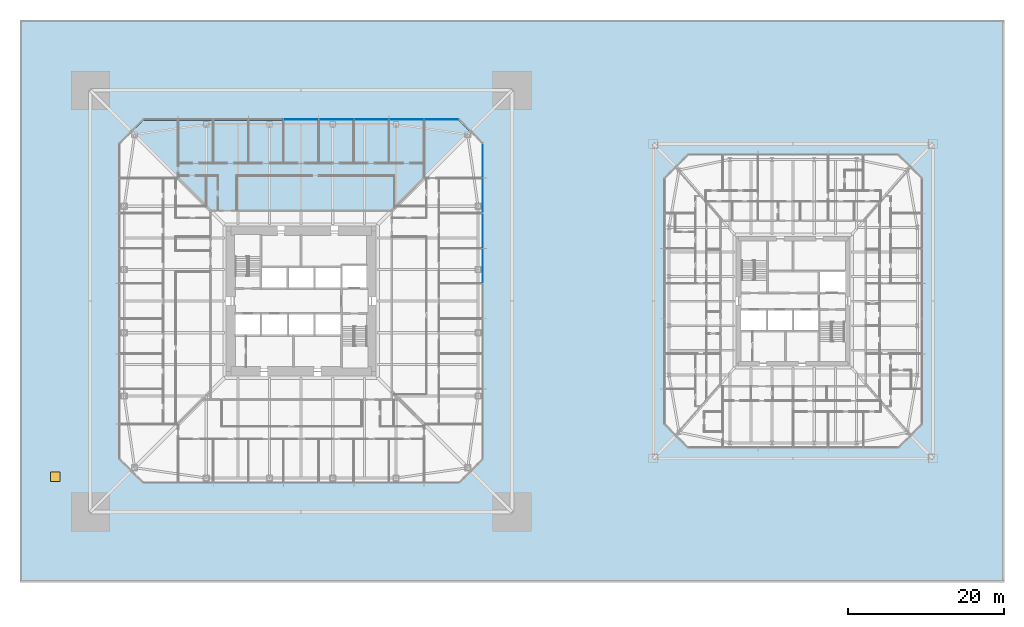
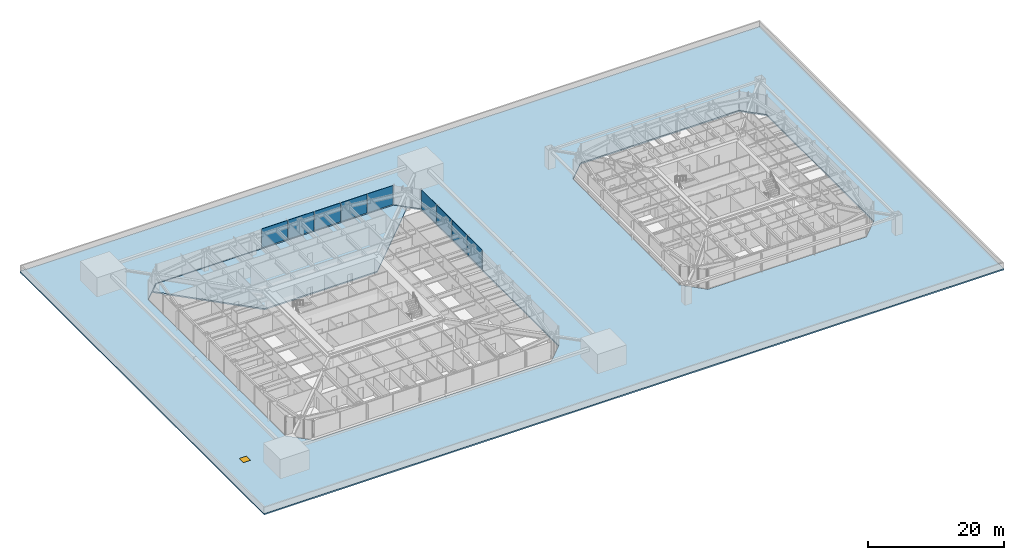
# One storey, part 14 of 31: 9 plates, 2 slabs, 1 window, 1 opening, 2 elements without a shape of their own.
"""IFC4 building model written with IfcOpenShell, lengths in metres."""

from ifc_helpers import new_model, si_unit, direction, frame, origin, origin_2d, place, context, subcontext, project, spatial, polyline, rectangle, outline, extrude, material, layer, layer_set, type_object, element, fill, aggregate, save


model = new_model("IFC4")

# Units and contexts
model_context = context("Model", 3, precision=1e-05, world=origin(), true_north=direction((0.0, 1.0)))
body_context = subcontext(model_context, "Body", "Model", "MODEL_VIEW")
ifc_project = project(units=[si_unit("LENGTHUNIT", "METRE"), si_unit("AREAUNIT", "SQUARE_METRE"), si_unit("VOLUMEUNIT", "CUBIC_METRE"), si_unit("PLANEANGLEUNIT", "RADIAN"), si_unit("MASSUNIT", "GRAM", prefix="KILO")], contexts=[model_context])

# Site, building, storey
site_placement = place(None, origin())
site = spatial("IfcSite", under=ifc_project, at=site_placement, CompositionType="ELEMENT")
building_placement = place(site_placement, origin())
building = spatial("IfcBuilding", under=site, at=building_placement, Name="Iwan Alto Co-Living Towers", CompositionType="ELEMENT")
storey_placement = place(building_placement, frame((0.0, 0.0, 15.0)))
storey = spatial("IfcBuildingStorey", under=building, at=storey_placement, Name="L03", CompositionType="ELEMENT", Elevation=15.0)

# Curtain wall, plates
ifc_material_1 = material(Name="Bronze aluminium unitised frame", Category="aluminium")
curtain_wall_type = type_object("IfcCurtainWallType", Name="CURTAIN WALL CW-A", PredefinedType="NOTDEFINED", material=ifc_material_1)
curtain_wall_1_placement = place(storey_placement, origin())
curtain_wall_1 = element("IfcCurtainWall", 1, at=curtain_wall_1_placement, inside=storey, type_object=curtain_wall_type, Name="T1 curtain wall E L03", PredefinedType="NOTDEFINED")
ifc_material_2 = material(Name="Bronze-tinted insulating glass", Category="glass")
ifc_layer_1 = layer(ifc_material_2, 0.031982421875)
ifc_layer_set_1 = layer_set([ifc_layer_1], Name="CW-A PANEL TINTED IGU 32")
plate_type = type_object("IfcPlateType", Name="CW-A PANEL TINTED IGU 32", PredefinedType="CURTAIN_PANEL", material=ifc_layer_set_1)
plate_1_placement = place(storey_placement, frame((23.25, 4.5, 0.10009765625), z_axis=(0.0, 0.0, 1.0), x_axis=(0.0, 1.0, 0.0)))
plate_1 = element("IfcPlate", 2, at=plate_1_placement, type_object=plate_type, Name="CW-A panel 6.1", PredefinedType="CURTAIN_PANEL", context=body_context, shape_type="SweptSolid", body=[
    extrude(rectangle(XDim=4.419921875, YDim=0.031982421875, at=origin_2d()), origin(), (0.0, 0.0, 1.0), 3.39990234375),
])
plate_2_placement = place(storey_placement, frame((23.25, 9.0, 0.10009765625), z_axis=(0.0, 0.0, 1.0), x_axis=(0.0, 1.0, 0.0)))
plate_2 = element("IfcPlate", 3, at=plate_2_placement, type_object=plate_type, Name="CW-A panel 7.1", PredefinedType="CURTAIN_PANEL", context=body_context, shape_type="SweptSolid", body=[
    extrude(rectangle(XDim=4.419921875, YDim=0.031982421875, at=origin_2d()), origin(), (0.0, 0.0, 1.0), 3.39990234375),
])
plate_3_placement = place(storey_placement, frame((23.25, 13.5, 0.10009765625), z_axis=(0.0, 0.0, 1.0), x_axis=(0.0, 1.0, 0.0)))
plate_3 = element("IfcPlate", 4, at=plate_3_placement, type_object=plate_type, Name="CW-A panel 8.1", PredefinedType="CURTAIN_PANEL", context=body_context, shape_type="SweptSolid", body=[
    extrude(rectangle(XDim=4.419921875, YDim=0.031982421875, at=origin_2d()), origin(), (0.0, 0.0, 1.0), 3.39990234375),
])
plate_4_placement = place(storey_placement, frame((23.25, 17.97998046875, 0.10009765625), z_axis=(0.0, 0.0, 1.0), x_axis=(0.0, 1.0, 0.0)))
plate_4 = element("IfcPlate", 5, at=plate_4_placement, type_object=plate_type, Name="CW-A panel 9.1", PredefinedType="CURTAIN_PANEL", context=body_context, shape_type="SweptSolid", body=[
    extrude(rectangle(XDim=4.3798828125, YDim=0.031982421875, at=origin_2d()), origin(), (0.0, 0.0, 1.0), 3.39990234375),
])
aggregate(curtain_wall_1, [plate_1, plate_2, plate_3, plate_4])

curtain_wall_2_placement = place(storey_placement, origin())
curtain_wall_2 = element("IfcCurtainWall", 6, at=curtain_wall_2_placement, inside=storey, type_object=curtain_wall_type, Name="T1 curtain wall N L03", PredefinedType="NOTDEFINED")
plate_5_placement = place(storey_placement, frame((17.97998046875, 23.25, 0.10009765625), z_axis=(0.0, 0.0, 1.0), x_axis=(-1.0, 0.0, 0.0)))
plate_5 = element("IfcPlate", 7, at=plate_5_placement, type_object=plate_type, Name="CW-A panel 1.1", PredefinedType="CURTAIN_PANEL", context=body_context, shape_type="SweptSolid", body=[
    extrude(rectangle(XDim=4.3798828125, YDim=0.031982421875, at=origin_2d()), origin(), (0.0, 0.0, 1.0), 3.39990234375),
])
plate_6_placement = place(storey_placement, frame((13.5, 23.25, 0.10009765625), z_axis=(0.0, 0.0, 1.0), x_axis=(-1.0, 0.0, 0.0)))
plate_6 = element("IfcPlate", 8, at=plate_6_placement, type_object=plate_type, Name="CW-A panel 2.1", PredefinedType="CURTAIN_PANEL", context=body_context, shape_type="SweptSolid", body=[
    extrude(rectangle(XDim=4.419921875, YDim=0.031982421875, at=origin_2d()), origin(), (0.0, 0.0, 1.0), 3.39990234375),
])
plate_7_placement = place(storey_placement, frame((9.0, 23.25, 0.10009765625), z_axis=(0.0, 0.0, 1.0), x_axis=(-1.0, 0.0, 0.0)))
plate_7 = element("IfcPlate", 9, at=plate_7_placement, type_object=plate_type, Name="CW-A panel 3.1", PredefinedType="CURTAIN_PANEL", context=body_context, shape_type="SweptSolid", body=[
    extrude(rectangle(XDim=4.419921875, YDim=0.031982421875, at=origin_2d()), origin(), (0.0, 0.0, 1.0), 3.39990234375),
])
plate_8_placement = place(storey_placement, frame((4.5, 23.25, 0.10009765625), z_axis=(0.0, 0.0, 1.0), x_axis=(-1.0, 0.0, 0.0)))
plate_8 = element("IfcPlate", 10, at=plate_8_placement, type_object=plate_type, Name="CW-A panel 4.1", PredefinedType="CURTAIN_PANEL", context=body_context, shape_type="SweptSolid", body=[
    extrude(rectangle(XDim=4.419921875, YDim=0.031982421875, at=origin_2d()), origin(), (0.0, 0.0, 1.0), 3.39990234375),
])
plate_9_placement = place(storey_placement, frame((0.0, 23.25, 0.10009765625), z_axis=(0.0, 0.0, 1.0), x_axis=(-1.0, 0.0, 0.0)))
plate_9 = element("IfcPlate", 11, at=plate_9_placement, type_object=plate_type, Name="CW-A panel 5.1", PredefinedType="CURTAIN_PANEL", context=body_context, shape_type="SweptSolid", body=[
    extrude(rectangle(XDim=4.419921875, YDim=0.031982421875, at=origin_2d()), origin(), (0.0, 0.0, 1.0), 3.39990234375),
])
aggregate(curtain_wall_2, [plate_5, plate_6, plate_7, plate_8, plate_9])

# Slab, opening, window
ifc_material_3 = material(Name="Concrete f'c 30 MPa", Category="concrete")
ifc_layer_2 = layer(ifc_material_3, 0.25)
ifc_layer_set_2 = layer_set([ifc_layer_2], Name="PODIUM ROOF SLAB 250")
slab_type_1 = type_object("IfcSlabType", Name="PODIUM ROOF SLAB 250", PredefinedType="ROOF", material=ifc_layer_set_2)
slab_1_placement = place(storey_placement, frame((0.0, 0.0, -0.25)))
slab_1 = element("IfcSlab", 12, at=slab_1_placement, inside=storey, type_object=slab_type_1, Name="Podium roof slab L03", PredefinedType="ROOF", context=body_context, shape_type="SweptSolid", body=[
    extrude(outline(polyline([(-36.0, 36.0), (90.0, 36.0), (90.0, -36.0), (-36.0, -36.0), (-36.0, 36.0)]), holes=[polyline([(-20.25, -23.25), (20.25, -23.25), (23.25, -20.25), (23.25, 20.25), (20.25, 23.25), (-20.25, 23.25), (-23.25, 20.25), (-23.25, -20.25), (-20.25, -23.25)]), polyline([(49.5, -18.75), (76.5, -18.75), (79.5, -15.75), (79.5, 15.75), (76.5, 18.75), (49.5, 18.75), (46.5, 15.75), (46.5, -15.75), (49.5, -18.75)])]), origin(), (0.0, 0.0, 1.0), 0.25),
])
opening_placement = place(slab_1_placement, frame((-31.5, -22.5, 0.0)))
opening = element("IfcOpeningElement", 13, at=opening_placement, cuts=slab_1, Name="Opening RH1", PredefinedType="OPENING", context=body_context, shape_type="SweptSolid", body=[
    extrude(rectangle(XDim=1.199951171875, YDim=1.199951171875, at=origin_2d()), origin(), (0.0, 0.0, 1.0), 0.25),
])
ifc_material_4 = material(Name="Steel roof hatch", Category="steel")
window_type = type_object("IfcWindowType", Name="ROOF HATCH 1200X1200", PartitioningType="SINGLE_PANEL", PredefinedType="SKYLIGHT", material=ifc_material_4)
window_placement = place(opening_placement, frame((0.0, 0.0, 0.199951171875)))
window = element("IfcWindow", 14, at=window_placement, inside=storey, type_object=window_type, Name="ROOF ACCESS HATCH", OverallHeight=1.199951171875, OverallWidth=1.199951171875, PartitioningType="SINGLE_PANEL", PredefinedType="SKYLIGHT", context=body_context, shape_type="SweptSolid", body=[
    extrude(rectangle(XDim=1.199951171875, YDim=1.199951171875, at=origin_2d()), origin(), (0.0, 0.0, 1.0), 0.050048828125),
])
fill(opening, window)

# Slab
ifc_material_5 = material(Name="Concrete f'c 30 MPa", Category="concrete")
ifc_layer_3 = layer(ifc_material_5, 0.22998046875)
ifc_layer_set_3 = layer_set([ifc_layer_3], Name="T1 FLOOR SLAB 230")
slab_type_2 = type_object("IfcSlabType", Name="T1 FLOOR SLAB 230", PredefinedType="FLOOR", material=ifc_layer_set_3)
slab_2_placement = place(storey_placement, frame((0.0, 0.0, -0.22998046875)))
element("IfcSlab", 15, at=slab_2_placement, inside=storey, type_object=slab_type_2, Name="T1 floor slab L03 N pour", PredefinedType="FLOOR", context=body_context, shape_type="SweptSolid", body=[
    extrude(outline(polyline([(-20.19140625, 23.14990234375), (20.19140625, 23.14990234375), (21.670654296875, 21.670654296875), (9.60009765625, 9.60009765625), (-9.60009765625, 9.60009765625), (-21.670654296875, 21.670654296875), (-20.19140625, 23.14990234375)])), origin(), (0.0, 0.0, 1.0), 0.22998046875),
])

save(model, "model.ifc")
